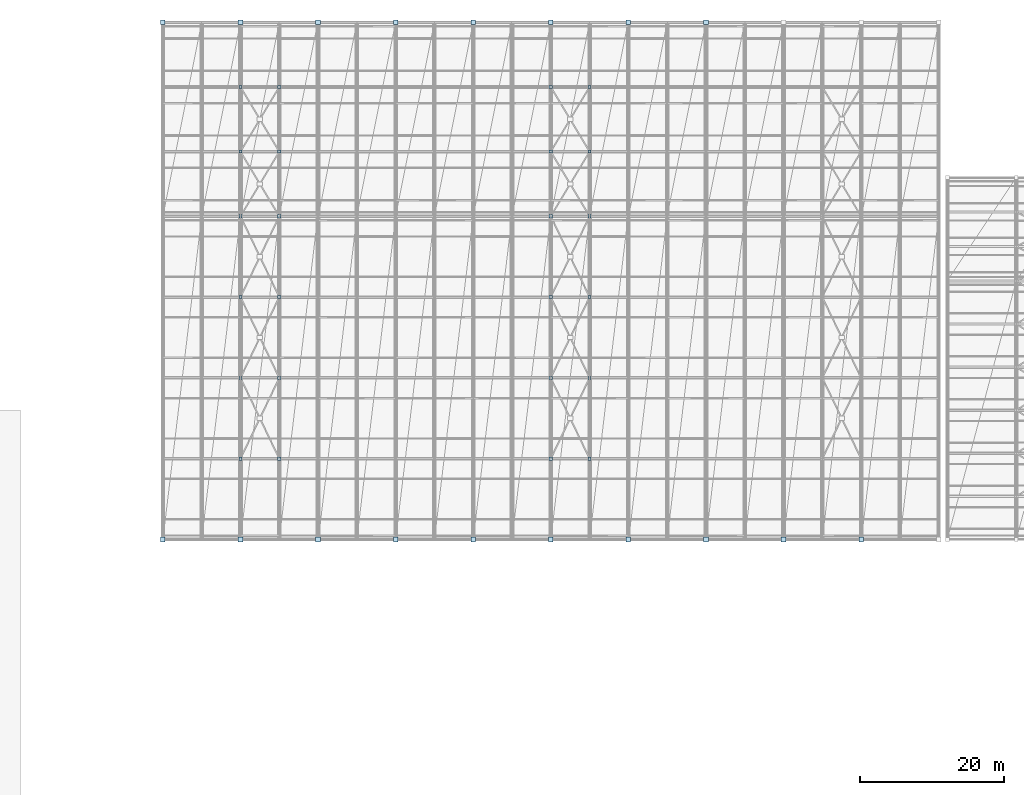
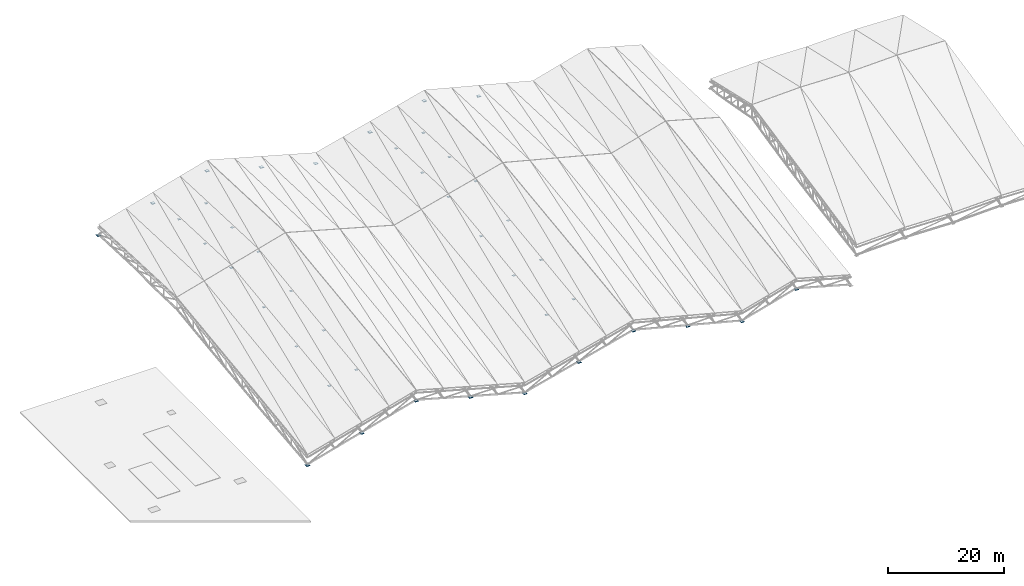
# One storey, part 105 of 109: 42 plates.
"""IFC4 building model written with IfcOpenShell, lengths in metres."""

from ifc_helpers import new_model, si_unit, direction, frame, origin, origin_2d, place, context, subcontext, project, spatial, rectangle, extrude, material, layer, layer_set, type_object, element, save


model = new_model("IFC4")

# Units and contexts
model_context = context("Model", 3, precision=1e-05, world=origin(), true_north=direction((0.0, 1.0)))
body_context = subcontext(model_context, "Body", "Model", "MODEL_VIEW")
ifc_project = project(units=[si_unit("LENGTHUNIT", "METRE"), si_unit("AREAUNIT", "SQUARE_METRE"), si_unit("VOLUMEUNIT", "CUBIC_METRE"), si_unit("PLANEANGLEUNIT", "RADIAN"), si_unit("MASSUNIT", "GRAM", prefix="KILO")], contexts=[model_context])

# Site, building, storey
site_placement = place(None, origin())
site = spatial("IfcSite", under=ifc_project, at=site_placement, CompositionType="ELEMENT")
building_placement = place(site_placement, origin())
building = spatial("IfcBuilding", under=site, at=building_placement, Name="Suirenkawa Promenade Aquatics Centre", CompositionType="ELEMENT")
storey_placement = place(building_placement, frame((0.0, 0.0, 22.800048828125)))
storey = spatial("IfcBuildingStorey", under=building, at=storey_placement, Name="ROOF", CompositionType="ELEMENT", Elevation=22.800048828125)

# Plates
ifc_material = material(Name="Steel IS 2062 E350 (Grade 350)", Category="steel")
ifc_layer_1 = layer(ifc_material, 0.031982421875, Name="Steel IS 2062 E350 (Grade 350)", Category="steel")
ifc_layer_set_1 = layer_set([ifc_layer_1], Name="Steel IS 2062 E350 (Grade 350)")
plate_type_1 = type_object("IfcPlateType", Name="PLT-BEAR-650x650x32", PredefinedType="SHEET", material=ifc_layer_set_1)
for number, where, z_axis, x_axis, name in (
    (1, (46.800048828125, 50.39990234375, -16.68310546875), (0.0, 0.0, 1.0), (1.0, 0.0, 0.0), "Truss node plate TN-01 PLG-0001"),
    (2, (46.800048828125, 122.39990234375, -11.98291015625), (0.0, 0.0, 1.0), (1.0, 0.0, 0.0), "Truss node plate TN-01 PLG-0002"),
    (3, (57.60009765625, 50.39990234375, -13.68310546875), (0.0, 0.0, 1.0), (1.0, 0.0, 0.0), "Truss node plate TN-01 PLG-0006"),
    (4, (57.60009765625, 122.39990234375, -8.98291015625), (0.0, 0.0, 1.0), (1.0, 0.0, 0.0), "Truss node plate TN-01 PLG-0007"),
    (5, (68.39990234375, 50.39990234375, -10.68310546875), (0.0, 0.0, 1.0), (1.0, 0.0, 0.0), "Truss node plate TN-01 PLG-0014"),
    (6, (68.39990234375, 122.39990234375, -5.98291015625), (0.0, 0.0, 1.0), (1.0, 0.0, 0.0), "Truss node plate TN-01 PLG-0015"),
    (7, (79.199951171875, 50.39990234375, -13.68310546875), (0.0, 0.0, 1.0), (1.0, 0.0, 0.0), "Truss node plate TN-01 PLG-0022"),
    (8, (79.199951171875, 122.39990234375, -8.98291015625), (0.0, 0.0, 1.0), (1.0, 0.0, 0.0), "Truss node plate TN-01 PLG-0023"),
    (9, (90.0, 50.39990234375, -16.68310546875), (0.0, 0.0, 1.0), (1.0, 0.0, 0.0), "Truss node plate TN-01 PLG-0030"),
    (10, (90.0, 122.39990234375, -11.98291015625), (0.0, 0.0, 1.0), (1.0, 0.0, 0.0), "Truss node plate TN-01 PLG-0031"),
    (11, (100.800048828125, 50.39990234375, -13.8828125), (0.0, 0.0, 1.0), (1.0, 0.0, 0.0), "Truss node plate TN-01 PLG-0038"),
    (12, (100.800048828125, 122.39990234375, -9.18310546875), (0.0, 0.0, 1.0), (1.0, 0.0, 0.0), "Truss node plate TN-01 PLG-0039"),
    (13, (111.60009765625, 50.39990234375, -11.0830078125), (0.0, 0.0, 1.0), (1.0, 0.0, 0.0), "Truss node plate TN-01 PLG-0046"),
    (14, (111.60009765625, 122.39990234375, -6.3828125), (0.0, 0.0, 1.0), (1.0, 0.0, 0.0), "Truss node plate TN-01 PLG-0047"),
    (15, (122.39990234375, 50.39990234375, -13.8828125), (0.0, 0.0, 1.0), (1.0, 0.0, 0.0), "Truss node plate TN-01 PLG-0054"),
    (16, (122.39990234375, 122.39990234375, -9.18310546875), (0.0, 0.0, 1.0), (1.0, 0.0, 0.0), "Truss node plate TN-01 PLG-0055"),
    (17, (133.199951171875, 50.39990234375, -16.68310546875), (0.0, 0.0, 1.0), (1.0, 0.0, 0.0), "Truss node plate TN-01 PLG-0062"),
    (18, (144.0, 50.39990234375, -13.68310546875), (0.0, 0.0, 1.0), (1.0, 0.0, 0.0), "Truss node plate TN-01 PLG-0070"),
):
    element("IfcPlate", number, at=place(storey_placement, frame(where, z_axis=z_axis, x_axis=x_axis)), inside=storey, type_object=plate_type_1, Name=name, PredefinedType="SHEET", context=body_context, shape_type="SweptSolid", body=[
        extrude(rectangle(XDim=0.64990234375, YDim=0.64990234375, at=origin_2d()), origin(), (0.0, 0.0, 1.0), 0.031982421875),
    ])
ifc_layer_2 = layer(ifc_material, 0.01611328125, Name="Steel IS 2062 E350 (Grade 350)", Category="steel")
ifc_layer_set_2 = layer_set([ifc_layer_2], Name="Steel IS 2062 E350 (Grade 350)")
plate_type_2 = type_object("IfcPlateType", Name="PLT-GUSSET-600x450x16", PredefinedType="USERDEFINED", material=ifc_layer_set_2)
for number, where, z_axis, x_axis, name in (
    (19, (57.60009765625, 61.64990234375, -10.55810546875), (0.0, 0.0, 1.0), (1.0, 0.0, 0.0), "Truss node plate TN-06 PLG-0081"),
    (20, (63.0, 72.89990234375, -7.608154296875), (0.0, 0.0, 1.0), (1.0, 0.0, 0.0), "Truss node plate TN-06 PLG-0082"),
    (21, (63.0, 61.64990234375, -9.05810546875), (0.0, 0.0, 1.0), (1.0, 0.0, 0.0), "Truss node plate TN-06 PLG-0083"),
    (22, (57.60009765625, 72.89990234375, -9.108154296875), (0.0, 0.0, 1.0), (1.0, 0.0, 0.0), "Truss node plate TN-06 PLG-0084"),
    (23, (63.0, 84.14990234375, -6.158203125), (0.0, 0.0, 1.0), (1.0, 0.0, 0.0), "Truss node plate TN-06 PLG-0086"),
    (24, (57.60009765625, 84.14990234375, -7.658203125), (0.0, 0.0, 1.0), (1.0, 0.0, 0.0), "Truss node plate TN-06 PLG-0087"),
    (25, (63.0, 95.39990234375, -4.7080078125), (0.0, 0.0, 1.0), (1.0, 0.0, 0.0), "Truss node plate TN-06 PLG-0089"),
    (26, (57.60009765625, 95.39990234375, -6.2080078125), (0.0, 0.0, 1.0), (1.0, 0.0, 0.0), "Truss node plate TN-06 PLG-0090"),
    (27, (63.0, 104.39990234375, -5.0751953125), (0.0, 0.0, 1.0), (1.0, 0.0, 0.0), "Truss node plate TN-06 PLG-0092"),
    (28, (57.60009765625, 104.39990234375, -6.5751953125), (0.0, 0.0, 1.0), (1.0, 0.0, 0.0), "Truss node plate TN-06 PLG-0093"),
    (29, (63.0, 113.39990234375, -5.441162109375), (0.0, 0.0, 1.0), (1.0, 0.0, 0.0), "Truss node plate TN-06 PLG-0095"),
    (30, (57.60009765625, 113.39990234375, -6.941162109375), (0.0, 0.0, 1.0), (1.0, 0.0, 0.0), "Truss node plate TN-06 PLG-0096"),
    (31, (100.800048828125, 61.64990234375, -10.758056640625), (0.0, 0.0, 1.0), (1.0, 0.0, 0.0), "Truss node plate TN-06 PLG-0098"),
    (32, (106.199951171875, 72.89990234375, -7.908203125), (0.0, 0.0, 1.0), (1.0, 0.0, 0.0), "Truss node plate TN-06 PLG-0099"),
    (33, (106.199951171875, 61.64990234375, -9.358154296875), (0.0, 0.0, 1.0), (1.0, 0.0, 0.0), "Truss node plate TN-06 PLG-0100"),
    (34, (100.800048828125, 72.89990234375, -9.30810546875), (0.0, 0.0, 1.0), (1.0, 0.0, 0.0), "Truss node plate TN-06 PLG-0101"),
    (35, (106.199951171875, 84.14990234375, -6.4580078125), (0.0, 0.0, 1.0), (1.0, 0.0, 0.0), "Truss node plate TN-06 PLG-0103"),
    (36, (100.800048828125, 84.14990234375, -7.858154296875), (0.0, 0.0, 1.0), (1.0, 0.0, 0.0), "Truss node plate TN-06 PLG-0104"),
    (37, (106.199951171875, 95.39990234375, -5.008056640625), (0.0, 0.0, 1.0), (1.0, 0.0, 0.0), "Truss node plate TN-06 PLG-0106"),
    (38, (100.800048828125, 95.39990234375, -6.408203125), (0.0, 0.0, 1.0), (1.0, 0.0, 0.0), "Truss node plate TN-06 PLG-0107"),
    (39, (106.199951171875, 104.39990234375, -5.375), (0.0, 0.0, 1.0), (1.0, 0.0, 0.0), "Truss node plate TN-06 PLG-0109"),
    (40, (100.800048828125, 104.39990234375, -6.775146484375), (0.0, 0.0, 1.0), (1.0, 0.0, 0.0), "Truss node plate TN-06 PLG-0110"),
    (41, (106.199951171875, 113.39990234375, -5.7412109375), (0.0, 0.0, 1.0), (1.0, 0.0, 0.0), "Truss node plate TN-06 PLG-0112"),
    (42, (100.800048828125, 113.39990234375, -7.14111328125), (0.0, 0.0, 1.0), (1.0, 0.0, 0.0), "Truss node plate TN-06 PLG-0113"),
):
    element("IfcPlate", number, at=place(storey_placement, frame(where, z_axis=z_axis, x_axis=x_axis)), inside=storey, type_object=plate_type_2, Name=name, ObjectType="GUSSET", PredefinedType="USERDEFINED", context=body_context, shape_type="SweptSolid", body=[
        extrude(rectangle(XDim=0.449951171875, YDim=0.449951171875, at=origin_2d()), origin(), (0.0, 0.0, 1.0), 0.01611328125),
    ])

save(model, "model.ifc")
